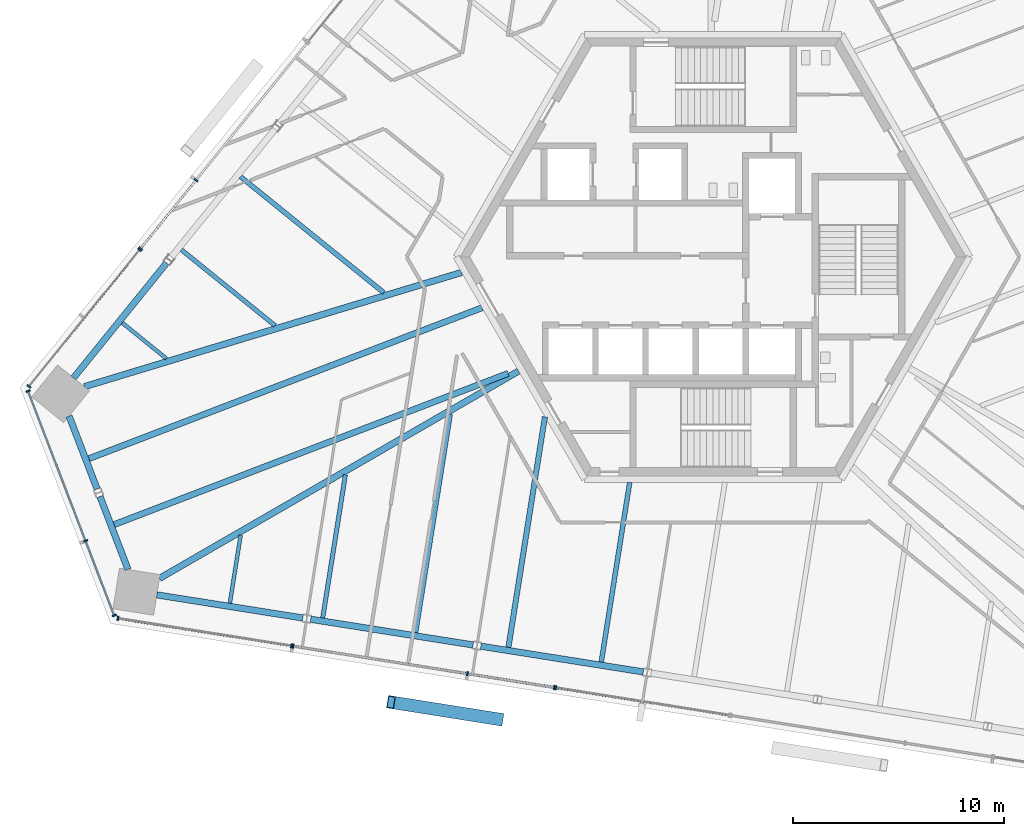
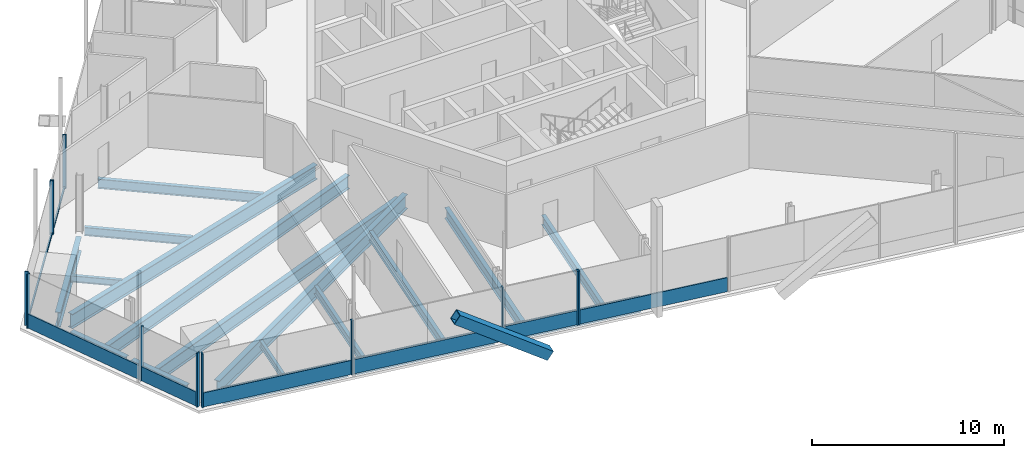
# One storey, part 4 of 21: 22 members, 18 beams, 6 elements without a shape of their own.
"""IFC4 building model written with IfcOpenShell, lengths in metres."""

from ifc_helpers import new_model, si_unit, direction, frame, origin, origin_2d, place, context, subcontext, project, spatial, rectangle, hollow_rectangle, i_section, extrude, source, transform, mapped, material, material_profile, profile_set, type_object, element, aggregate, save


model = new_model("IFC4")

# Units and contexts
model_context = context("Model", 3, precision=1e-05, world=origin(), true_north=direction((0.0, 1.0)))
body_context = subcontext(model_context, "Body", "Model", "MODEL_VIEW")
ifc_project = project(units=[si_unit("LENGTHUNIT", "METRE"), si_unit("AREAUNIT", "SQUARE_METRE"), si_unit("VOLUMEUNIT", "CUBIC_METRE"), si_unit("PLANEANGLEUNIT", "RADIAN"), si_unit("MASSUNIT", "GRAM", prefix="KILO")], contexts=[model_context])

# Site, building, storey
site_placement = place(None, origin())
site = spatial("IfcSite", under=ifc_project, at=site_placement, CompositionType="ELEMENT")
building_placement = place(site_placement, origin())
building = spatial("IfcBuilding", under=site, at=building_placement, Name="Triune Harvest Tower", CompositionType="ELEMENT")
storey_placement = place(building_placement, frame((0.0, 0.0, 160.5)))
storey = spatial("IfcBuildingStorey", under=building, at=storey_placement, Name="L41", CompositionType="ELEMENT", Elevation=160.5)

# Curtain wall, member
ifc_material_1 = material(Name="Aluminium bronze anodised", Category="aluminium")
curtain_wall_type_1 = type_object("IfcCurtainWallType", Name="CW-10 Balcony window wall with insulated spandrel infill", PredefinedType="NOTDEFINED", material=ifc_material_1)
curtain_wall_1_placement = place(storey_placement, origin())
curtain_wall_1 = element("IfcCurtainWall", 1, at=curtain_wall_1_placement, inside=storey, type_object=curtain_wall_type_1, Name="CW-10 B4-F3 L41 run 2002")
ifc_material_2 = material(Name="Aluminium bronze anodised", Category="aluminium")
ifc_material_profile_1 = material_profile(ifc_material_2, rectangle(XDim=0.090087890625, YDim=0.14990234375, at=origin_2d()), Name="TR-6 transom 90 x 150")
ifc_profile_set_1 = profile_set([ifc_material_profile_1], Name="Aluminium bronze anodised")
member_type_1 = type_object("IfcMemberType", Name="TR-6 transom 90 x 150", PredefinedType="USERDEFINED", material=ifc_profile_set_1)
member_1_placement = place(storey_placement, frame((-24.5478515625, 3.612548828125, 0.074951171875), z_axis=(-0.629340447957, -0.777129719266, 0.0), x_axis=(0.777129719266, -0.629340447957, 0.0)))
member_1 = element("IfcMember", 2, at=member_1_placement, type_object=member_type_1, Name="CW-10 transom B4-F3 2002.2", ObjectType="TRANSOM", PredefinedType="USERDEFINED", context=body_context, shape_type="SweptSolid", body=[
    extrude(rectangle(XDim=0.090087890625, YDim=0.14990234375, at=origin_2d()), origin(), (0.0, 0.0, 1.0), 4.098388671875),
])

# Beams
ifc_material_3 = material(Name="Steel ASTM A992 Gr 50", Category="steel")
ifc_material_profile_2 = material_profile(ifc_material_3, i_section(OverallWidth=0.3046875, OverallDepth=0.914306640625, WebThickness=0.0166015625, FlangeThickness=0.02587890625, at=origin_2d()), Name="W36x160")
ifc_profile_set_2 = profile_set([ifc_material_profile_2], Name="Steel ASTM A992 Gr 50")
beam_type_1 = type_object("IfcBeamType", Name="SB-1 Spandrel beam W36x160", PredefinedType="SPANDREL", material=ifc_profile_set_2)
shared_shape_1 = source(origin(), body_context, "Body", "SweptSolid", [
    extrude(i_section(OverallWidth=0.3046875, OverallDepth=0.914306640625, WebThickness=0.0166015625, FlangeThickness=0.02587890625, at=origin_2d()), origin(), (0.0, 0.0, 1.0), 7.013427734375),
])
for number, where, z_axis, x_axis, name in (
    (3, (-25.920166015625, -0.2890625, -0.6171875), (-0.629311381255, -0.777153257358, 0.0), (0.777153257358, -0.629311381255, 0.0), "beam/L41/SB14"),
    (4, (-26.3828125, -16.031982421875, -0.6171875), (0.987682109987, -0.156473798484, 0.0), (0.156473798484, 0.987682109987, 0.0), "beam/L41/SB17"),
):
    element("IfcBeam", number, at=place(storey_placement, frame(where, z_axis=z_axis, x_axis=x_axis)), inside=storey, type_object=beam_type_1, Name=name, PredefinedType="SPANDREL", context=body_context, shape_type="MappedRepresentation", body=[
        mapped(shared_shape_1, transform((0.0, 0.0, 0.0), scale=1.0)),
    ])
shared_shape_2 = source(origin(), body_context, "Body", "SweptSolid", [
    extrude(i_section(OverallWidth=0.3046875, OverallDepth=0.914306640625, WebThickness=0.0166015625, FlangeThickness=0.02587890625, at=origin_2d()), origin(), (0.0, 0.0, 1.0), 3.71240234375),
])
beam_1_placement = place(storey_placement, frame((-30.5439453125, -7.548095703125, -0.6171875), z_axis=(0.358406131368, -0.933565768973, 0.0), x_axis=(0.933565768973, 0.358406131368, 0.0)))
element("IfcBeam", 5, at=beam_1_placement, inside=storey, type_object=beam_type_1, Name="beam/L41/SB15", PredefinedType="SPANDREL", context=body_context, shape_type="MappedRepresentation", body=[
    mapped(shared_shape_2, transform((0.0, 0.0, 0.0), scale=1.0)),
])
shared_shape_3 = source(origin(), body_context, "Body", "SweptSolid", [
    extrude(i_section(OverallWidth=0.3046875, OverallDepth=0.914306640625, WebThickness=0.0166015625, FlangeThickness=0.02587890625, at=origin_2d()), origin(), (0.0, 0.0, 1.0), 7.801513671875),
])
for number, where, z_axis, x_axis, name in (
    (6, (-19.087158203125, -17.187744140625, -0.6171875), (0.98768800071, -0.156436610974, 0.0), (0.156436610974, 0.98768800071, 0.0), "beam/L41/SB18"),
    (7, (-11.0126953125, -18.466552734375, -0.6171875), (0.98768800071, -0.156436610974, 0.0), (0.156436610974, 0.98768800071, 0.0), "beam/L41/SB19"),
):
    element("IfcBeam", number, at=place(storey_placement, frame(where, z_axis=z_axis, x_axis=x_axis)), inside=storey, type_object=beam_type_1, Name=name, PredefinedType="SPANDREL", context=body_context, shape_type="MappedRepresentation", body=[
        mapped(shared_shape_3, transform((0.0, 0.0, 0.0), scale=1.0)),
    ])
shared_shape_4 = source(origin(), body_context, "Body", "SweptSolid", [
    extrude(i_section(OverallWidth=0.3046875, OverallDepth=0.914306640625, WebThickness=0.0166015625, FlangeThickness=0.02587890625, at=origin_2d()), origin(), (0.0, 0.0, 1.0), 3.712646484375),
])
beam_2_placement = place(storey_placement, frame((-29.07958984375, -11.362548828125, -0.6171875), z_axis=(0.358326814132, -0.933596215863, 0.0), x_axis=(0.933596215863, 0.358326814132, 0.0)))
element("IfcBeam", 8, at=beam_2_placement, inside=storey, type_object=beam_type_1, Name="beam/L41/SB16", PredefinedType="SPANDREL", context=body_context, shape_type="MappedRepresentation", body=[
    mapped(shared_shape_4, transform((0.0, 0.0, 0.0), scale=1.0)),
])
ifc_material_4 = material(Name="Steel ASTM A992 Gr 50", Category="steel")
ifc_material_profile_3 = material_profile(ifc_material_4, i_section(OverallWidth=0.307373046875, OverallDepth=0.922119140625, WebThickness=0.018310546875, FlangeThickness=0.030029296875, at=origin_2d()), Name="W36x182")
ifc_profile_set_3 = profile_set([ifc_material_profile_3], Name="Steel ASTM A992 Gr 50")
beam_type_2 = type_object("IfcBeamType", Name="HG-2 Hip girder W36x182", PredefinedType="BEAM", material=ifc_profile_set_3)
shared_shape_5 = source(origin(), body_context, "Body", "SweptSolid", [
    extrude(i_section(OverallWidth=0.307373046875, OverallDepth=0.922119140625, WebThickness=0.018310546875, FlangeThickness=0.030029296875, at=origin_2d()), origin(), (0.0, 0.0, 1.0), 19.670166015625),
])
beam_3_placement = place(storey_placement, frame((-26.25927734375, -15.252197265625, -0.62109375), z_axis=(0.866028709221, 0.499994274773, 0.0), x_axis=(-0.499994274773, 0.866028709221, 0.0)))
element("IfcBeam", 9, at=beam_3_placement, inside=storey, type_object=beam_type_2, Name="beam/L41/HG6", PredefinedType="BEAM", context=body_context, shape_type="MappedRepresentation", body=[
    mapped(shared_shape_5, transform((0.0, 0.0, 0.0), scale=1.0)),
])
shared_shape_6 = source(origin(), body_context, "Body", "SweptSolid", [
    extrude(i_section(OverallWidth=0.307373046875, OverallDepth=0.922119140625, WebThickness=0.018310546875, FlangeThickness=0.030029296875, at=origin_2d()), origin(), (0.0, 0.0, 1.0), 18.69580078125),
])
beam_4_placement = place(storey_placement, frame((-29.819580078125, -6.15576171875, -0.62109375), z_axis=(0.957096860763, 0.289768181686, 0.0), x_axis=(-0.289768181686, 0.957096860763, 0.0)))
element("IfcBeam", 10, at=beam_4_placement, inside=storey, type_object=beam_type_2, Name="beam/L41/HG5", PredefinedType="BEAM", context=body_context, shape_type="MappedRepresentation", body=[
    mapped(shared_shape_6, transform((0.0, 0.0, 0.0), scale=1.0)),
])
ifc_material_5 = material(Name="Steel ASTM A992 Gr 50", Category="steel")
ifc_material_profile_4 = material_profile(ifc_material_5, i_section(OverallWidth=0.2099609375, OverallDepth=0.535888671875, WebThickness=0.010986328125, FlangeThickness=0.017333984375, at=origin_2d()), Name="W21x68")
ifc_profile_set_4 = profile_set([ifc_material_profile_4], Name="Steel ASTM A992 Gr 50")
beam_type_3 = type_object("IfcBeamType", Name="JT-2 Floor joist W21x68", PredefinedType="JOIST", material=ifc_profile_set_4)
shared_shape_7 = source(origin(), body_context, "Body", "SweptSolid", [
    extrude(i_section(OverallWidth=0.2099609375, OverallDepth=0.535888671875, WebThickness=0.010986328125, FlangeThickness=0.017333984375, at=origin_2d()), origin(), (0.0, 0.0, 1.0), 6.871826171875),
])
beam_5_placement = place(storey_placement, frame((-18.513671875, -17.124267578125, -0.427978515625), z_axis=(0.156431434427, 0.987688820592, 0.0), x_axis=(-0.987688820592, 0.156431434427, 0.0)))
element("IfcBeam", 11, at=beam_5_placement, inside=storey, type_object=beam_type_3, Name="beam/L41/JT26", PredefinedType="JOIST", context=body_context, shape_type="MappedRepresentation", body=[
    mapped(shared_shape_7, transform((0.0, 0.0, 0.0), scale=1.0)),
])
ifc_material_6 = material(Name="Steel ASTM A992 Gr 50", Category="steel")
ifc_material_profile_5 = material_profile(ifc_material_6, i_section(OverallWidth=0.22900390625, OverallDepth=0.612060546875, WebThickness=0.011962890625, FlangeThickness=0.01953125, at=origin_2d()), Name="W24x84")
ifc_profile_set_5 = profile_set([ifc_material_profile_5], Name="Steel ASTM A992 Gr 50")
beam_type_4 = type_object("IfcBeamType", Name="JT-3 Floor joist W24x84", PredefinedType="JOIST", material=ifc_profile_set_5)
shared_shape_8 = source(origin(), body_context, "Body", "SweptSolid", [
    extrude(i_section(OverallWidth=0.22900390625, OverallDepth=0.612060546875, WebThickness=0.011962890625, FlangeThickness=0.01953125, at=origin_2d()), origin(), (0.0, 0.0, 1.0), 10.482666015625),
])
beam_6_placement = place(storey_placement, frame((-14.109375, -17.82177734375, -0.466064453125), z_axis=(0.156439750993, 0.987687503368, 0.0), x_axis=(-0.987687503368, 0.156439750993, 0.0)))
element("IfcBeam", 12, at=beam_6_placement, inside=storey, type_object=beam_type_4, Name="beam/L41/JT27", PredefinedType="JOIST", context=body_context, shape_type="MappedRepresentation", body=[
    mapped(shared_shape_8, transform((0.0, 0.0, 0.0), scale=1.0)),
])
shared_shape_9 = source(origin(), body_context, "Body", "SweptSolid", [
    extrude(i_section(OverallWidth=0.22900390625, OverallDepth=0.612060546875, WebThickness=0.011962890625, FlangeThickness=0.01953125, at=origin_2d()), origin(), (0.0, 0.0, 1.0), 8.738037109375),
])
beam_7_placement = place(storey_placement, frame((-22.410400390625, 3.802978515625, -0.466064453125), z_axis=(0.777147913906, -0.629317979968, 0.0), x_axis=(0.629317979968, 0.777147913906, 0.0)))
element("IfcBeam", 13, at=beam_7_placement, inside=storey, type_object=beam_type_4, Name="beam/L41/JT20", PredefinedType="JOIST", context=body_context, shape_type="MappedRepresentation", body=[
    mapped(shared_shape_9, transform((0.0, 0.0, 0.0), scale=1.0)),
])
ifc_material_7 = material(Name="Steel ASTM A992 Gr 50", Category="steel")
ifc_material_profile_6 = material_profile(ifc_material_7, i_section(OverallWidth=0.180908203125, OverallDepth=0.41650390625, WebThickness=0.010986328125, FlangeThickness=0.01806640625, at=origin_2d()), Name="W16x57")
ifc_profile_set_6 = profile_set([ifc_material_profile_6], Name="Steel ASTM A992 Gr 50")
beam_type_5 = type_object("IfcBeamType", Name="JT-1 Floor joist W16x57", PredefinedType="JOIST", material=ifc_profile_set_6)
shared_shape_10 = source(origin(), body_context, "Body", "SweptSolid", [
    extrude(i_section(OverallWidth=0.180908203125, OverallDepth=0.41650390625, WebThickness=0.010986328125, FlangeThickness=0.01806640625, at=origin_2d()), origin(), (0.0, 0.0, 1.0), 2.687255859375),
])
beam_8_placement = place(storey_placement, frame((-28.022705078125, -3.127685546875, -0.368408203125), z_axis=(0.777141190223, -0.629326282987, 0.0), x_axis=(0.629326282987, 0.777141190223, 0.0)))
element("IfcBeam", 14, at=beam_8_placement, inside=storey, type_object=beam_type_5, Name="beam/L41/JT22", PredefinedType="JOIST", context=body_context, shape_type="MappedRepresentation", body=[
    mapped(shared_shape_10, transform((0.0, 0.0, 0.0), scale=1.0)),
])
ifc_material_8 = material(Name="Steel ASTM A992 Gr 50", Category="steel")
ifc_material_profile_7 = material_profile(ifc_material_8, i_section(OverallWidth=0.2919921875, OverallDepth=0.8583984375, WebThickness=0.01708984375, FlangeThickness=0.031005859375, at=origin_2d()), Name="W33x169")
ifc_profile_set_7 = profile_set([ifc_material_profile_7], Name="Steel ASTM A992 Gr 50")
beam_type_6 = type_object("IfcBeamType", Name="JT-7 Floor joist W33x169", PredefinedType="JOIST", material=ifc_profile_set_7)
shared_shape_11 = source(origin(), body_context, "Body", "SweptSolid", [
    extrude(i_section(OverallWidth=0.2919921875, OverallDepth=0.8583984375, WebThickness=0.01708984375, FlangeThickness=0.031005859375, at=origin_2d()), origin(), (0.0, 0.0, 1.0), 19.97216796875),
])
beam_9_placement = place(storey_placement, frame((-29.6044921875, -9.570068359375, -0.58935546875), z_axis=(0.933578234713, 0.358373659287, 0.0), x_axis=(-0.358373659287, 0.933578234713, 0.0)))
element("IfcBeam", 15, at=beam_9_placement, inside=storey, type_object=beam_type_6, Name="beam/L41/JT23", PredefinedType="JOIST", context=body_context, shape_type="MappedRepresentation", body=[
    mapped(shared_shape_11, transform((0.0, 0.0, 0.0), scale=1.0)),
])
shared_shape_12 = source(origin(), body_context, "Body", "SweptSolid", [
    extrude(i_section(OverallWidth=0.180908203125, OverallDepth=0.41650390625, WebThickness=0.010986328125, FlangeThickness=0.01806640625, at=origin_2d()), origin(), (0.0, 0.0, 1.0), 3.2607421875),
])
beam_10_placement = place(storey_placement, frame((-22.917724609375, -16.4267578125, -0.368408203125), z_axis=(0.156404699139, 0.987693054591, 0.0), x_axis=(-0.987693054591, 0.156404699139, 0.0)))
element("IfcBeam", 16, at=beam_10_placement, inside=storey, type_object=beam_type_5, Name="beam/L41/JT25", PredefinedType="JOIST", context=body_context, shape_type="MappedRepresentation", body=[
    mapped(shared_shape_12, transform((0.0, 0.0, 0.0), scale=1.0)),
])
ifc_material_9 = material(Name="Steel ASTM A992 Gr 50", Category="steel")
ifc_material_profile_8 = material_profile(ifc_material_9, i_section(OverallWidth=0.253662109375, OverallDepth=0.683349609375, WebThickness=0.012451171875, FlangeThickness=0.01904296875, at=origin_2d()), Name="W27x94")
ifc_profile_set_8 = profile_set([ifc_material_profile_8], Name="Steel ASTM A992 Gr 50")
beam_type_7 = type_object("IfcBeamType", Name="JT-4 Floor joist W27x94", PredefinedType="JOIST", material=ifc_profile_set_8)
shared_shape_13 = source(origin(), body_context, "Body", "SweptSolid", [
    extrude(i_section(OverallWidth=0.253662109375, OverallDepth=0.683349609375, WebThickness=0.012451171875, FlangeThickness=0.01904296875, at=origin_2d()), origin(), (0.0, 0.0, 1.0), 11.0712890625),
])
beam_11_placement = place(storey_placement, frame((-9.705078125, -18.519287109375, -0.501708984375), z_axis=(0.156433624309, 0.987688473753, 0.0), x_axis=(-0.987688473753, 0.156433624309, 0.0)))
element("IfcBeam", 17, at=beam_11_placement, inside=storey, type_object=beam_type_7, Name="beam/L41/JT28", PredefinedType="JOIST", context=body_context, shape_type="MappedRepresentation", body=[
    mapped(shared_shape_13, transform((0.0, 0.0, 0.0), scale=1.0)),
])
shared_shape_14 = source(origin(), body_context, "Body", "SweptSolid", [
    extrude(i_section(OverallWidth=0.22900390625, OverallDepth=0.612060546875, WebThickness=0.011962890625, FlangeThickness=0.01953125, at=origin_2d()), origin(), (0.0, 0.0, 1.0), 8.6259765625),
])
beam_12_placement = place(storey_placement, frame((-5.301025390625, -19.216796875, -0.466064453125), z_axis=(0.156430549504, 0.987688960747, 0.0), x_axis=(-0.987688960747, 0.156430549504, 0.0)))
element("IfcBeam", 18, at=beam_12_placement, inside=storey, type_object=beam_type_4, Name="beam/L41/JT29", PredefinedType="JOIST", context=body_context, shape_type="MappedRepresentation", body=[
    mapped(shared_shape_14, transform((0.0, 0.0, 0.0), scale=1.0)),
])
shared_shape_15 = source(origin(), body_context, "Body", "SweptSolid", [
    extrude(i_section(OverallWidth=0.2099609375, OverallDepth=0.535888671875, WebThickness=0.010986328125, FlangeThickness=0.017333984375, at=origin_2d()), origin(), (0.0, 0.0, 1.0), 5.71240234375),
])
beam_13_placement = place(storey_placement, frame((-25.216552734375, 0.337646484375, -0.427978515625), z_axis=(0.777148320449, -0.629317477926, 0.0), x_axis=(0.629317477926, 0.777148320449, 0.0)))
element("IfcBeam", 19, at=beam_13_placement, inside=storey, type_object=beam_type_3, Name="beam/L41/JT21", PredefinedType="JOIST", context=body_context, shape_type="MappedRepresentation", body=[
    mapped(shared_shape_15, transform((0.0, 0.0, 0.0), scale=1.0)),
])
shared_shape_16 = source(origin(), body_context, "Body", "SweptSolid", [
    extrude(i_section(OverallWidth=0.2919921875, OverallDepth=0.8583984375, WebThickness=0.01708984375, FlangeThickness=0.031005859375, at=origin_2d()), origin(), (0.0, 0.0, 1.0), 20.01611328125),
])
beam_14_placement = place(storey_placement, frame((-28.404052734375, -12.697509765625, -0.58935546875), z_axis=(0.933581802132, 0.358364365875, 0.0), x_axis=(-0.358364365875, 0.933581802132, 0.0)))
element("IfcBeam", 20, at=beam_14_placement, inside=storey, type_object=beam_type_6, Name="beam/L41/JT24", PredefinedType="JOIST", context=body_context, shape_type="MappedRepresentation", body=[
    mapped(shared_shape_16, transform((0.0, 0.0, 0.0), scale=1.0)),
])

# Member
ifc_material_10 = material(Name="Steel ASTM A572 Gr 50", Category="steel")
ifc_material_profile_9 = material_profile(ifc_material_10, hollow_rectangle(XDim=0.60009765625, YDim=0.60009765625, WallThickness=0.0400390625, at=origin_2d()), Name="Box 600x600x40")
ifc_profile_set_9 = profile_set([ifc_material_profile_9], Name="Steel ASTM A572 Gr 50")
member_type_2 = type_object("IfcMemberType", Name="BR-2 Brace Box 600x600x40", PredefinedType="BRACE", material=ifc_profile_set_9)
shared_shape_17 = source(origin(), body_context, "Body", "SweptSolid", [
    extrude(hollow_rectangle(XDim=0.60009765625, YDim=0.60009765625, WallThickness=0.0400390625, at=origin_2d()), origin(), (0.0, 0.0, 1.0), 6.3291015625),
])
member_2_placement = place(storey_placement, frame((-10.134521484375, -21.935302734375, 0.0), z_axis=(-0.812339415933, 0.128645802371, 0.568818891084), x_axis=(-0.156415343348, -0.987691368984, 0.0)))
element("IfcMember", 21, at=member_2_placement, inside=storey, type_object=member_type_2, Name="brace/B4-F5/d2/7", PredefinedType="BRACE", context=body_context, shape_type="MappedRepresentation", body=[
    mapped(shared_shape_17, transform((0.0, 0.0, 0.0), scale=1.0)),
])

# Curtain wall, members
ifc_material_11 = material(Name="Aluminium bronze anodised", Category="aluminium")
curtain_wall_type_2 = type_object("IfcCurtainWallType", Name="CW-1 Tower stick curtain wall", PredefinedType="NOTDEFINED", material=ifc_material_11)
curtain_wall_2_placement = place(storey_placement, origin())
curtain_wall_2 = element("IfcCurtainWall", 22, at=curtain_wall_2_placement, inside=storey, type_object=curtain_wall_type_2, Name="CW-1 B4-F4 L41 run 1")
ifc_material_12 = material(Name="Aluminium bronze anodised", Category="aluminium")
ifc_material_profile_10 = material_profile(ifc_material_12, rectangle(XDim=0.199951171875, YDim=0.074951171875, at=origin_2d()), Name="MU-1 mullion 75 x 200")
ifc_profile_set_10 = profile_set([ifc_material_profile_10], Name="Aluminium bronze anodised")
member_type_3 = type_object("IfcMemberType", Name="MU-1 mullion 75 x 200", PredefinedType="MULLION", material=ifc_profile_set_10)
shared_shape_18 = source(origin(), body_context, "Body", "SweptSolid", [
    extrude(rectangle(XDim=0.199951171875, YDim=0.074951171875, at=origin_2d()), origin(), (0.0, 0.0, 1.0), 3.43994140625),
])
member_3_placement = place(storey_placement, frame((-32.485595703125, -6.365234375, 0.0), z_axis=(0.0, 0.0, 1.0), x_axis=(0.933580057745, 0.358368910177, 0.0)))
member_3 = element("IfcMember", 23, at=member_3_placement, type_object=member_type_3, Name="CW-1 mullion B4-F4 1.1", PredefinedType="MULLION", context=body_context, shape_type="MappedRepresentation", body=[
    mapped(shared_shape_18, transform((0.0, 0.0, 0.0), scale=1.0)),
])
member_4_placement = place(storey_placement, frame((-29.7578125, -13.47119140625, 0.0), z_axis=(0.0, 0.0, 1.0), x_axis=(0.933580057745, 0.358368910177, 0.0)))
member_4 = element("IfcMember", 24, at=member_4_placement, type_object=member_type_3, Name="CW-1 mullion B4-F4 1.3", PredefinedType="MULLION", context=body_context, shape_type="MappedRepresentation", body=[
    mapped(shared_shape_18, transform((0.0, 0.0, 0.0), scale=1.0)),
])
member_5_placement = place(storey_placement, frame((-28.400634765625, -17.0068359375, 0.0), z_axis=(0.0, 0.0, 1.0), x_axis=(0.933580057745, 0.358368910177, 0.0)))
member_5 = element("IfcMember", 25, at=member_5_placement, type_object=member_type_3, Name="CW-1 mullion B4-F4 1.4", PredefinedType="MULLION", context=body_context, shape_type="MappedRepresentation", body=[
    mapped(shared_shape_18, transform((0.0, 0.0, 0.0), scale=1.0)),
])

curtain_wall_3_placement = place(storey_placement, origin())
curtain_wall_3 = element("IfcCurtainWall", 26, at=curtain_wall_3_placement, inside=storey, type_object=curtain_wall_type_2, Name="CW-1 B4-F5 L41 run 1")
member_6_placement = place(storey_placement, frame((-28.22900390625, -17.145751953125, 0.0), z_axis=(0.0, 0.0, 1.0), x_axis=(0.156440353369, 0.987687407957, 0.0)))
member_6 = element("IfcMember", 27, at=member_6_placement, type_object=member_type_3, Name="CW-1 mullion B4-F5 1.1", PredefinedType="MULLION", context=body_context, shape_type="MappedRepresentation", body=[
    mapped(shared_shape_18, transform((0.0, 0.0, 0.0), scale=1.0)),
])
member_7_placement = place(storey_placement, frame((-19.994384765625, -18.449951171875, 0.0), z_axis=(0.0, 0.0, 1.0), x_axis=(0.156440353369, 0.987687407957, 0.0)))
member_7 = element("IfcMember", 28, at=member_7_placement, type_object=member_type_3, Name="CW-1 mullion B4-F5 1.3", PredefinedType="MULLION", context=body_context, shape_type="MappedRepresentation", body=[
    mapped(shared_shape_18, transform((0.0, 0.0, 0.0), scale=1.0)),
])

ifc_material_13 = material(Name="Aluminium bronze anodised", Category="aluminium")
curtain_wall_type_3 = type_object("IfcCurtainWallType", Name="CW-7 Tower stick curtain wall with insulated spandrel infill", PredefinedType="NOTDEFINED", material=ifc_material_13)
curtain_wall_4_placement = place(storey_placement, origin())
curtain_wall_4 = element("IfcCurtainWall", 29, at=curtain_wall_4_placement, inside=storey, type_object=curtain_wall_type_3, Name="CW-7 B4-F5 L41 run 1001")
member_8_placement = place(storey_placement, frame((-19.92041015625, -18.461669921875, 0.0), z_axis=(0.0, 0.0, 1.0), x_axis=(0.156430964452, 0.987688895028, 0.0)))
member_8 = element("IfcMember", 30, at=member_8_placement, type_object=member_type_3, Name="CW-7 mullion B4-F5 1001.1", PredefinedType="MULLION", context=body_context, shape_type="MappedRepresentation", body=[
    mapped(shared_shape_18, transform((0.0, 0.0, 0.0), scale=1.0)),
])
member_9_placement = place(storey_placement, frame((-11.648681640625, -19.771728515625, 0.0), z_axis=(0.0, 0.0, 1.0), x_axis=(0.156430964452, 0.987688895028, 0.0)))
member_9 = element("IfcMember", 31, at=member_9_placement, type_object=member_type_3, Name="CW-7 mullion B4-F5 1001.3", PredefinedType="MULLION", context=body_context, shape_type="MappedRepresentation", body=[
    mapped(shared_shape_18, transform((0.0, 0.0, 0.0), scale=1.0)),
])
member_10_placement = place(storey_placement, frame((-7.531494140625, -20.423828125, 0.0), z_axis=(0.0, 0.0, 1.0), x_axis=(0.156430964452, 0.987688895028, 0.0)))
member_10 = element("IfcMember", 32, at=member_10_placement, type_object=member_type_3, Name="CW-7 mullion B4-F5 1001.4", PredefinedType="MULLION", context=body_context, shape_type="MappedRepresentation", body=[
    mapped(shared_shape_18, transform((0.0, 0.0, 0.0), scale=1.0)),
])

# Curtain wall, member
curtain_wall_5_placement = place(storey_placement, origin())
curtain_wall_5 = element("IfcCurtainWall", 33, at=curtain_wall_5_placement, inside=storey, type_object=curtain_wall_type_2, Name="CW-1 B4-F5 L41 run 2001")
member_11_placement = place(storey_placement, frame((-7.457275390625, -20.435546875, 0.0), z_axis=(0.0, 0.0, 1.0), x_axis=(0.156436246492, 0.987688058439, 0.0)))
member_11 = element("IfcMember", 34, at=member_11_placement, type_object=member_type_3, Name="CW-1 mullion B4-F5 2001.1", PredefinedType="MULLION", context=body_context, shape_type="MappedRepresentation", body=[
    mapped(shared_shape_18, transform((0.0, 0.0, 0.0), scale=1.0)),
])

# Member
ifc_material_14 = material(Name="Aluminium bronze anodised", Category="aluminium")
ifc_material_profile_11 = material_profile(ifc_material_14, rectangle(XDim=0.199951171875, YDim=0.074951171875, at=origin_2d()), Name="MU-6 mullion 75 x 200")
ifc_profile_set_11 = profile_set([ifc_material_profile_11], Name="Aluminium bronze anodised")
member_type_4 = type_object("IfcMemberType", Name="MU-6 mullion 75 x 200", PredefinedType="MULLION", material=ifc_profile_set_11)
shared_shape_19 = source(origin(), body_context, "Body", "SweptSolid", [
    extrude(rectangle(XDim=0.199951171875, YDim=0.074951171875, at=origin_2d()), origin(), (0.0, 0.0, 1.0), 3.43994140625),
])
member_12_placement = place(storey_placement, frame((-24.524169921875, 3.641845703125, 0.0), z_axis=(0.0, 0.0, 1.0), x_axis=(0.777148270206, -0.629317539971, 0.0)))
member_12 = element("IfcMember", 35, at=member_12_placement, type_object=member_type_4, Name="CW-10 mullion B4-F3 2002.3", PredefinedType="MULLION", context=body_context, shape_type="MappedRepresentation", body=[
    mapped(shared_shape_19, transform((0.0, 0.0, 0.0), scale=1.0)),
])

member_13_placement = place(storey_placement, frame((-27.150634765625, 0.398193359375, 0.0), z_axis=(0.0, 0.0, 1.0), x_axis=(0.777148270206, -0.629317539971, 0.0)))
member_13 = element("IfcMember", 36, at=member_13_placement, type_object=member_type_4, Name="CW-10 mullion B4-F3 2002.4", PredefinedType="MULLION", context=body_context, shape_type="MappedRepresentation", body=[
    mapped(shared_shape_19, transform((0.0, 0.0, 0.0), scale=1.0)),
])

aggregate(curtain_wall_1, [member_12, member_13, member_1])

# Curtain wall, members
ifc_material_15 = material(Name="Aluminium bronze anodised", Category="aluminium")
curtain_wall_type_4 = type_object("IfcCurtainWallType", Name="CW-6 Balcony window wall", PredefinedType="NOTDEFINED", material=ifc_material_15)
curtain_wall_6_placement = place(storey_placement, origin())
curtain_wall_6 = element("IfcCurtainWall", 37, at=curtain_wall_6_placement, inside=storey, type_object=curtain_wall_type_4, Name="CW-6 B4-F3 L41 run 3002")
member_14_placement = place(storey_placement, frame((-27.197998046875, 0.33984375, 0.0), z_axis=(0.0, 0.0, 1.0), x_axis=(0.777143898503, -0.629322938578, 0.0)))
member_14 = element("IfcMember", 38, at=member_14_placement, type_object=member_type_4, Name="CW-6 mullion B4-F3 3002.1", PredefinedType="MULLION", context=body_context, shape_type="MappedRepresentation", body=[
    mapped(shared_shape_19, transform((0.0, 0.0, 0.0), scale=1.0)),
])
member_15_placement = place(storey_placement, frame((-32.451171875, -6.147216796875, 0.0), z_axis=(0.0, 0.0, 1.0), x_axis=(0.777143898503, -0.629322938578, 0.0)))
member_15 = element("IfcMember", 39, at=member_15_placement, type_object=member_type_4, Name="CW-6 mullion B4-F3 3002.3", PredefinedType="MULLION", context=body_context, shape_type="MappedRepresentation", body=[
    mapped(shared_shape_19, transform((0.0, 0.0, 0.0), scale=1.0)),
])

# Member
ifc_material_16 = material(Name="Aluminium bronze anodised", Category="aluminium")
ifc_material_profile_12 = material_profile(ifc_material_16, rectangle(XDim=0.090087890625, YDim=0.89990234375, at=origin_2d()), Name="TR-1 transom 90 x 900")
ifc_profile_set_12 = profile_set([ifc_material_profile_12], Name="Aluminium bronze anodised")
member_type_5 = type_object("IfcMemberType", Name="TR-1 transom 90 x 900", PredefinedType="USERDEFINED", material=ifc_profile_set_12)
shared_shape_20 = source(origin(), body_context, "Body", "SweptSolid", [
    extrude(rectangle(XDim=0.090087890625, YDim=0.89990234375, at=origin_2d()), origin(), (0.0, 0.0, 1.0), 3.7119140625),
])
member_16_placement = place(storey_placement, frame((-29.744384765625, -13.50634765625, 0.449951171875), z_axis=(0.358392822083, -0.933570878444, 0.0), x_axis=(0.933570878444, 0.358392822083, 0.0)))
member_16 = element("IfcMember", 40, at=member_16_placement, type_object=member_type_5, Name="CW-1 transom B4-F4 1.2", ObjectType="TRANSOM", PredefinedType="USERDEFINED", context=body_context, shape_type="MappedRepresentation", body=[
    mapped(shared_shape_20, transform((0.0, 0.0, 0.0), scale=1.0)),
])

shared_shape_21 = source(origin(), body_context, "Body", "SweptSolid", [
    extrude(rectangle(XDim=0.090087890625, YDim=0.89990234375, at=origin_2d()), origin(), (0.0, 0.0, 1.0), 7.53662109375),
])
member_17_placement = place(storey_placement, frame((-32.47216796875, -6.400146484375, 0.449951171875), z_axis=(0.358369036816, -0.933580009132, 0.0), x_axis=(0.933580009132, 0.358369036816, 0.0)))
member_17 = element("IfcMember", 41, at=member_17_placement, type_object=member_type_5, Name="CW-1 transom B4-F4 1.1", ObjectType="TRANSOM", PredefinedType="USERDEFINED", context=body_context, shape_type="MappedRepresentation", body=[
    mapped(shared_shape_21, transform((0.0, 0.0, 0.0), scale=1.0)),
])

aggregate(curtain_wall_2, [member_3, member_4, member_5, member_17, member_16])

shared_shape_22 = source(origin(), body_context, "Body", "SweptSolid", [
    extrude(rectangle(XDim=0.090087890625, YDim=0.89990234375, at=origin_2d()), origin(), (0.0, 0.0, 1.0), 8.2998046875),
])
member_18_placement = place(storey_placement, frame((-19.88330078125, -18.467529296875, 0.449951171875), z_axis=(0.987688678524, -0.156432331429, 0.0), x_axis=(0.156432331429, 0.987688678524, 0.0)))
member_18 = element("IfcMember", 42, at=member_18_placement, type_object=member_type_5, Name="CW-7 transom B4-F5 1001.1", ObjectType="TRANSOM", PredefinedType="USERDEFINED", context=body_context, shape_type="MappedRepresentation", body=[
    mapped(shared_shape_22, transform((0.0, 0.0, 0.0), scale=1.0)),
])

shared_shape_23 = source(origin(), body_context, "Body", "SweptSolid", [
    extrude(rectangle(XDim=0.090087890625, YDim=0.89990234375, at=origin_2d()), origin(), (0.0, 0.0, 1.0), 4.09375),
])
member_19_placement = place(storey_placement, frame((-11.61181640625, -19.777587890625, 0.449951171875), z_axis=(0.9876898434, -0.156424976406, 0.0), x_axis=(0.156424976406, 0.9876898434, 0.0)))
member_19 = element("IfcMember", 43, at=member_19_placement, type_object=member_type_5, Name="CW-7 transom B4-F5 1001.2", ObjectType="TRANSOM", PredefinedType="USERDEFINED", context=body_context, shape_type="MappedRepresentation", body=[
    mapped(shared_shape_23, transform((0.0, 0.0, 0.0), scale=1.0)),
])

aggregate(curtain_wall_4, [member_8, member_9, member_10, member_18, member_19])

shared_shape_24 = source(origin(), body_context, "Body", "SweptSolid", [
    extrude(rectangle(XDim=0.090087890625, YDim=0.89990234375, at=origin_2d()), origin(), (0.0, 0.0, 1.0), 8.262451171875),
])
member_20_placement = place(storey_placement, frame((-28.192138671875, -17.151611328125, 0.449951171875), z_axis=(0.987689063313, -0.156429901908, 0.0), x_axis=(0.156429901908, 0.987689063313, 0.0)))
member_20 = element("IfcMember", 44, at=member_20_placement, type_object=member_type_5, Name="CW-1 transom B4-F5 1.1", ObjectType="TRANSOM", PredefinedType="USERDEFINED", context=body_context, shape_type="MappedRepresentation", body=[
    mapped(shared_shape_24, transform((0.0, 0.0, 0.0), scale=1.0)),
])

aggregate(curtain_wall_3, [member_6, member_7, member_20])

member_21_placement = place(storey_placement, frame((-7.42041015625, -20.441650390625, 0.449951171875), z_axis=(0.987689063313, -0.156429901908, 0.0), x_axis=(0.156429901908, 0.987689063313, 0.0)))
member_21 = element("IfcMember", 45, at=member_21_placement, type_object=member_type_5, Name="CW-1 transom B4-F5 2001.1", ObjectType="TRANSOM", PredefinedType="USERDEFINED", context=body_context, shape_type="MappedRepresentation", body=[
    mapped(shared_shape_24, transform((0.0, 0.0, 0.0), scale=1.0)),
])

aggregate(curtain_wall_5, [member_11, member_21])

shared_shape_25 = source(origin(), body_context, "Body", "SweptSolid", [
    extrude(rectangle(XDim=0.090087890625, YDim=0.14990234375, at=origin_2d()), origin(), (0.0, 0.0, 1.0), 8.272216796875),
])
member_22_placement = place(storey_placement, frame((-27.221435546875, 0.310791015625, 0.074951171875), z_axis=(-0.629334059467, -0.777134892792, 0.0), x_axis=(0.777134892792, -0.629334059467, 0.0)))
member_22 = element("IfcMember", 46, at=member_22_placement, type_object=member_type_1, Name="CW-6 transom B4-F3 3002.1", ObjectType="TRANSOM", PredefinedType="USERDEFINED", context=body_context, shape_type="MappedRepresentation", body=[
    mapped(shared_shape_25, transform((0.0, 0.0, 0.0), scale=1.0)),
])

aggregate(curtain_wall_6, [member_14, member_15, member_22])

save(model, "model.ifc")
